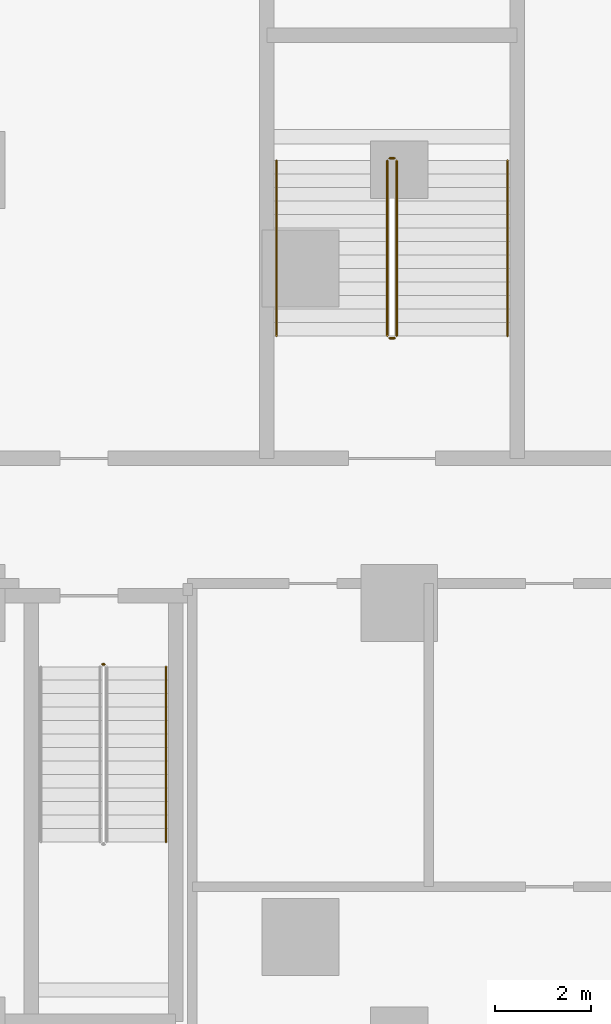
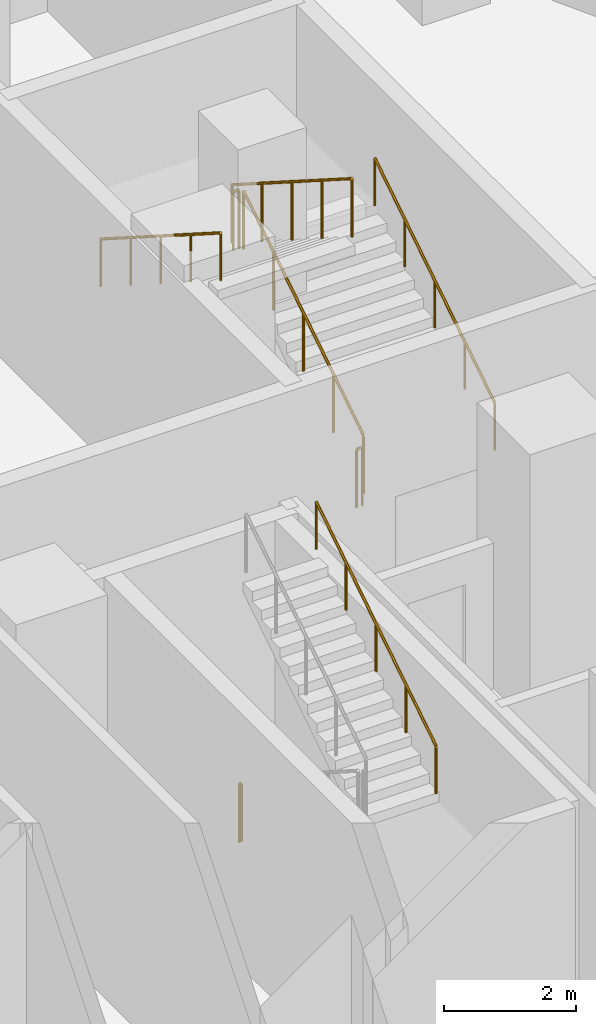
# One storey, part 32 of 35: 8 railings.
"""IFC4 building model written with IfcOpenShell, lengths in metres."""

from ifc_helpers import new_model, si_unit, direction, frame, origin, origin_2d, place, context, subcontext, project, spatial, circle, extrude, material, type_object, element, save


model = new_model("IFC4")

# Units and contexts
model_context = context("Model", 3, precision=1e-05, world=origin(), true_north=direction((0.0, 1.0)))
body_context = subcontext(model_context, "Body", "Model", "MODEL_VIEW")
ifc_project = project(units=[si_unit("LENGTHUNIT", "METRE"), si_unit("AREAUNIT", "SQUARE_METRE"), si_unit("VOLUMEUNIT", "CUBIC_METRE"), si_unit("PLANEANGLEUNIT", "RADIAN"), si_unit("MASSUNIT", "GRAM", prefix="KILO")], contexts=[model_context])

# Site, building, storey
site_placement = place(None, origin())
site = spatial("IfcSite", under=ifc_project, at=site_placement, CompositionType="ELEMENT")
building_placement = place(site_placement, origin())
building = spatial("IfcBuilding", under=site, at=building_placement, Name="Ogive Portal Towers", CompositionType="ELEMENT")
storey_placement = place(building_placement, frame((0.0, 0.0, 18.5)))
storey = spatial("IfcBuildingStorey", under=building, at=storey_placement, Name="L03", CompositionType="ELEMENT", Elevation=18.5)

# Railings
ifc_material_1 = material(Name="Stainless steel balustrade", Category="steel")
railing_type_1 = type_object("IfcRailingType", Name="INT-GUARD", PredefinedType="GUARDRAIL", material=ifc_material_1)
railing_1_placement = place(storey_placement, frame((88.330078125, 29.219970703125, 0.0)))
element("IfcRailing", 1, at=railing_1_placement, inside=storey, type_object=railing_type_1, Name="L03 ST-A4 stair guard 4", PredefinedType="GUARDRAIL", context=body_context, shape_type="SweptSolid", body=[
    extrude(circle(Radius=0.02392578125, at=origin_2d()), frame((0.0, 0.0, 1.076171875), z_axis=(1.0, 0.0, 0.0), x_axis=(0.0, 1.0, 0.0)), (0.0, 0.0, 1.0), 0.0400390625),
    extrude(circle(Radius=0.02099609375, at=origin_2d()), origin(), (0.0, 0.0, 1.0), 1.052001953125),
    extrude(circle(Radius=0.02099609375, at=origin_2d()), frame((0.0400390625, 0.0, 0.0)), (0.0, 0.0, 1.0), 1.052001953125),
])
railing_2_placement = place(storey_placement, frame((94.449951171875, 36.050048828125, 0.178466796875)))
element("IfcRailing", 2, at=railing_2_placement, inside=storey, type_object=railing_type_1, Name="L03 ST-P1 stair guard 1", PredefinedType="GUARDRAIL", context=body_context, shape_type="SweptSolid", body=[
    extrude(circle(Radius=0.02392578125, at=origin_2d()), frame((0.0, 0.0, 1.076171875), z_axis=(0.0, 0.843111507901, 0.53773877045), x_axis=(-1.0, 0.0, 0.0)), (0.0, 0.0, 1.0), 4.317138671875),
    extrude(circle(Radius=0.02099609375, at=origin_2d()), origin(), (0.0, 0.0, 1.0), 1.052001953125),
    extrude(circle(Radius=0.02099609375, at=origin_2d()), frame((0.0, 0.909912109375, 0.580322265625)), (0.0, 0.0, 1.0), 1.052001953125),
    extrude(circle(Radius=0.02099609375, at=origin_2d()), frame((0.0, 1.81982421875, 1.16064453125)), (0.0, 0.0, 1.0), 1.052001953125),
    extrude(circle(Radius=0.02099609375, at=origin_2d()), frame((0.0, 2.72998046875, 1.7412109375)), (0.0, 0.0, 1.0), 1.052001953125),
    extrude(circle(Radius=0.02099609375, at=origin_2d()), frame((0.0, 3.639892578125, 2.321533203125)), (0.0, 0.0, 1.0), 1.052001953125),
])
railing_3_placement = place(storey_placement, frame((94.39990234375, 39.739990234375, 2.5)))
element("IfcRailing", 3, at=railing_3_placement, inside=storey, type_object=railing_type_1, Name="L03 ST-P1 stair guard 2", PredefinedType="GUARDRAIL", context=body_context, shape_type="SweptSolid", body=[
    extrude(circle(Radius=0.02392578125, at=origin_2d()), frame((0.0, 0.0, 1.076171875), z_axis=(-1.0, 0.0, 0.0), x_axis=(0.0, -1.0, 0.0)), (0.0, 0.0, 1.0), 0.099853515625),
    extrude(circle(Radius=0.02099609375, at=origin_2d()), origin(), (0.0, 0.0, 1.0), 1.052001953125),
    extrude(circle(Radius=0.02099609375, at=origin_2d()), frame((-0.099853515625, 0.0, 0.0)), (0.0, 0.0, 1.0), 1.052001953125),
])
railing_4_placement = place(storey_placement, frame((94.25, 39.68994140625, 2.678466796875)))
element("IfcRailing", 4, at=railing_4_placement, inside=storey, type_object=railing_type_1, Name="L03 ST-P1 stair guard 3", PredefinedType="GUARDRAIL", context=body_context, shape_type="SweptSolid", body=[
    extrude(circle(Radius=0.02392578125, at=origin_2d()), frame((0.0, 0.0, 1.076171875), z_axis=(0.0, -0.843111507901, 0.53773877045), x_axis=(1.0, 0.0, 0.0)), (0.0, 0.0, 1.0), 4.317138671875),
    extrude(circle(Radius=0.02099609375, at=origin_2d()), origin(), (0.0, 0.0, 1.0), 1.052001953125),
    extrude(circle(Radius=0.02099609375, at=origin_2d()), frame((0.0, -0.909912109375, 0.580322265625)), (0.0, 0.0, 1.0), 1.052001953125),
    extrude(circle(Radius=0.02099609375, at=origin_2d()), frame((0.0, -1.81982421875, 1.16064453125)), (0.0, 0.0, 1.0), 1.052001953125),
    extrude(circle(Radius=0.02099609375, at=origin_2d()), frame((0.0, -2.72998046875, 1.7412109375)), (0.0, 0.0, 1.0), 1.052001953125),
    extrude(circle(Radius=0.02099609375, at=origin_2d()), frame((0.0, -3.639892578125, 2.321533203125)), (0.0, 0.0, 1.0), 1.052001953125),
])
railing_5_placement = place(storey_placement, frame((94.39990234375, 36.0, 0.0)))
element("IfcRailing", 5, at=railing_5_placement, inside=storey, type_object=railing_type_1, Name="L03 ST-P1 stair guard 4", PredefinedType="GUARDRAIL", context=body_context, shape_type="SweptSolid", body=[
    extrude(circle(Radius=0.02392578125, at=origin_2d()), frame((0.0, 0.0, 1.076171875), z_axis=(-1.0, 0.0, 0.0), x_axis=(0.0, -1.0, 0.0)), (0.0, 0.0, 1.0), 0.099853515625),
    extrude(circle(Radius=0.02099609375, at=origin_2d()), origin(), (0.0, 0.0, 1.0), 1.052001953125),
    extrude(circle(Radius=0.02099609375, at=origin_2d()), frame((-0.099853515625, 0.0, 0.0)), (0.0, 0.0, 1.0), 1.052001953125),
])
ifc_material_2 = material(Name="Stainless steel handrail", Category="steel")
railing_type_2 = type_object("IfcRailingType", Name="INT-HANDRAIL", PredefinedType="HANDRAIL", material=ifc_material_2)
for number, where, name in (
    (6, (89.64990234375, 25.530029296875, 2.678466796875), "L03 ST-A4 stair handrail 2"),
    (7, (96.75, 36.050048828125, 0.178466796875), "L03 ST-P1 stair handrail 1"),
):
    element("IfcRailing", number, at=place(storey_placement, frame(where)), inside=storey, type_object=railing_type_2, Name=name, PredefinedType="HANDRAIL", context=body_context, shape_type="SweptSolid", body=[
        extrude(circle(Radius=0.02392578125, at=origin_2d()), frame((0.0, 0.0, 0.8759765625), z_axis=(0.0, 0.843111507901, 0.53773877045), x_axis=(-1.0, 0.0, 0.0)), (0.0, 0.0, 1.0), 4.317138671875),
        extrude(circle(Radius=0.02099609375, at=origin_2d()), origin(), (0.0, 0.0, 1.0), 0.851806640625),
        extrude(circle(Radius=0.02099609375, at=origin_2d()), frame((0.0, 0.909912109375, 0.580322265625)), (0.0, 0.0, 1.0), 0.851806640625),
        extrude(circle(Radius=0.02099609375, at=origin_2d()), frame((0.0, 1.81982421875, 1.16064453125)), (0.0, 0.0, 1.0), 0.851806640625),
        extrude(circle(Radius=0.02099609375, at=origin_2d()), frame((0.0, 2.72998046875, 1.7412109375)), (0.0, 0.0, 1.0), 0.851806640625),
        extrude(circle(Radius=0.02099609375, at=origin_2d()), frame((0.0, 3.639892578125, 2.321533203125)), (0.0, 0.0, 1.0), 0.851806640625),
    ])
railing_6_placement = place(storey_placement, frame((91.949951171875, 39.68994140625, 2.678466796875)))
element("IfcRailing", 8, at=railing_6_placement, inside=storey, type_object=railing_type_2, Name="L03 ST-P1 stair handrail 2", PredefinedType="HANDRAIL", context=body_context, shape_type="SweptSolid", body=[
    extrude(circle(Radius=0.02392578125, at=origin_2d()), frame((0.0, 0.0, 0.8759765625), z_axis=(0.0, -0.843111507901, 0.53773877045), x_axis=(1.0, 0.0, 0.0)), (0.0, 0.0, 1.0), 4.317138671875),
    extrude(circle(Radius=0.02099609375, at=origin_2d()), origin(), (0.0, 0.0, 1.0), 0.851806640625),
    extrude(circle(Radius=0.02099609375, at=origin_2d()), frame((0.0, -0.909912109375, 0.580322265625)), (0.0, 0.0, 1.0), 0.851806640625),
    extrude(circle(Radius=0.02099609375, at=origin_2d()), frame((0.0, -1.81982421875, 1.16064453125)), (0.0, 0.0, 1.0), 0.851806640625),
    extrude(circle(Radius=0.02099609375, at=origin_2d()), frame((0.0, -2.72998046875, 1.7412109375)), (0.0, 0.0, 1.0), 0.851806640625),
    extrude(circle(Radius=0.02099609375, at=origin_2d()), frame((0.0, -3.639892578125, 2.321533203125)), (0.0, 0.0, 1.0), 0.851806640625),
])

save(model, "model.ifc")
